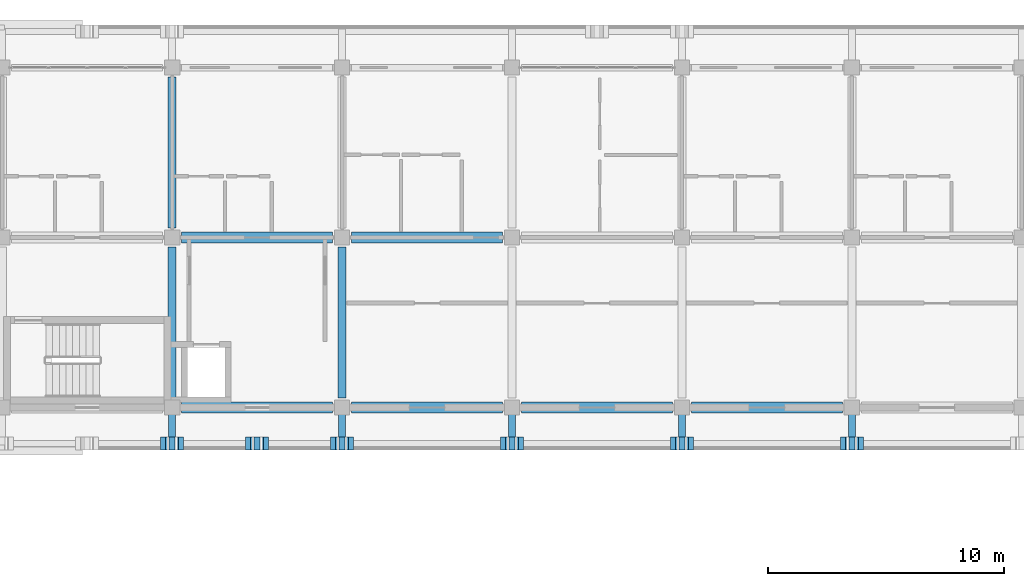
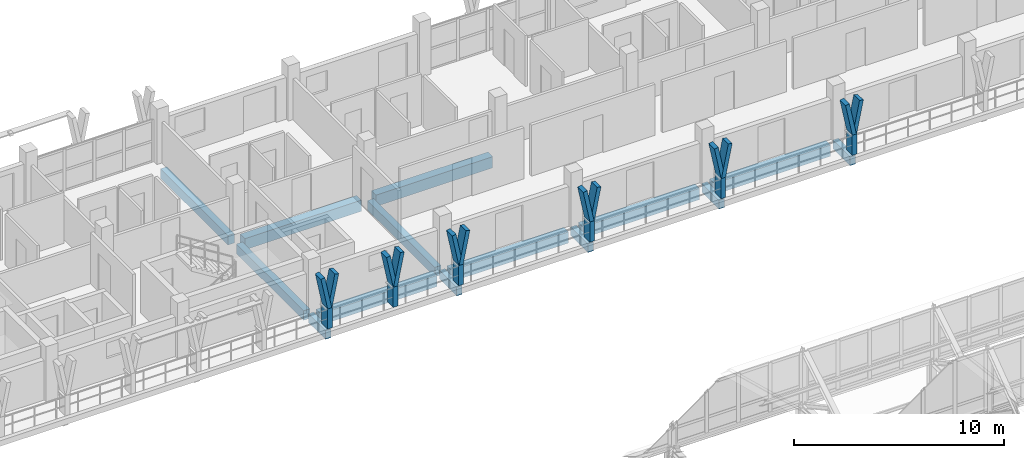
# One storey, part 72 of 157: 18 members, 14 beams.
"""IFC4 building model written with IfcOpenShell, lengths in metres."""

from ifc_helpers import new_model, si_unit, direction, frame, origin, origin_2d, place, context, subcontext, project, spatial, rectangle, extrude, material, material_profile, profile_set, type_object, element, save


model = new_model("IFC4")

# Units and contexts
model_context = context("Model", 3, precision=1e-05, world=origin(), true_north=direction((0.0, 1.0)))
body_context = subcontext(model_context, "Body", "Model", "MODEL_VIEW")
ifc_project = project(units=[si_unit("LENGTHUNIT", "METRE"), si_unit("AREAUNIT", "SQUARE_METRE"), si_unit("VOLUMEUNIT", "CUBIC_METRE"), si_unit("PLANEANGLEUNIT", "RADIAN"), si_unit("MASSUNIT", "GRAM", prefix="KILO")], contexts=[model_context])

# Site, building, storey
site_placement = place(None, origin())
site = spatial("IfcSite", under=ifc_project, at=site_placement, CompositionType="ELEMENT")
building_placement = place(site_placement, origin())
building = spatial("IfcBuilding", under=site, at=building_placement, Name="Suanplinth Sawtooth Commons", CompositionType="ELEMENT")
storey_placement = place(building_placement, frame((0.0, 0.0, 9.0)))
storey = spatial("IfcBuildingStorey", under=building, at=storey_placement, Name="L02", CompositionType="ELEMENT", Elevation=9.0)

# Beams
ifc_material_1 = material(Name="Precast concrete C40/50", Category="concrete")
ifc_material_profile_1 = material_profile(ifc_material_1, rectangle(XDim=0.449951171875, YDim=0.64990234375, at=origin_2d()), Name="PC-GDR 450x650")
ifc_profile_set_1 = profile_set([ifc_material_profile_1], Name="Precast concrete C40/50")
beam_type_1 = type_object("IfcBeamType", Name="B-04", PredefinedType="USERDEFINED", material=ifc_profile_set_1)
for number, where, z_axis, x_axis, name in (
    (1, (65.199951171875, 108.0, -0.574951171875), (1.0, 0.0, 0.0), (0.0, 1.0, 0.0), "BMX-L02-A-9-15"),
    (2, (65.199951171875, 115.199951171875, -0.574951171875), (1.0, 0.0, 0.0), (0.0, 1.0, 0.0), "BMX-L02-A-9-16"),
    (3, (72.39990234375, 108.0, -0.574951171875), (1.0, 0.0, 0.0), (0.0, 1.0, 0.0), "BMX-L02-A-10-15"),
    (4, (72.39990234375, 115.199951171875, -0.574951171875), (1.0, 0.0, 0.0), (0.0, 1.0, 0.0), "BMX-L02-A-10-16"),
):
    element("IfcBeam", number, at=place(storey_placement, frame(where, z_axis=z_axis, x_axis=x_axis)), inside=storey, type_object=beam_type_1, Name=name, ObjectType="GIRDER", PredefinedType="USERDEFINED", context=body_context, shape_type="SweptSolid", body=[
        extrude(rectangle(XDim=0.449951171875, YDim=0.64990234375, at=origin_2d()), origin(), (0.0, 0.0, 1.0), 6.400146484375),
    ])
for number, where, z_axis, x_axis, name in (
    (5, (79.60009765625, 108.0, -0.574951171875), (1.0, 0.0, 0.0), (0.0, 1.0, 0.0), "BMX-L02-A-11-15"),
    (6, (86.800048828125, 108.0, -0.574951171875), (1.0, 0.0, 0.0), (0.0, 1.0, 0.0), "BMX-L02-A-12-15"),
):
    element("IfcBeam", number, at=place(storey_placement, frame(where, z_axis=z_axis, x_axis=x_axis)), inside=storey, type_object=beam_type_1, Name=name, ObjectType="GIRDER", PredefinedType="USERDEFINED", context=body_context, shape_type="SweptSolid", body=[
        extrude(rectangle(XDim=0.449951171875, YDim=0.64990234375, at=origin_2d()), origin(), (0.0, 0.0, 1.0), 6.39990234375),
    ])
ifc_material_profile_2 = material_profile(ifc_material_1, rectangle(XDim=0.35009765625, YDim=0.550048828125, at=origin_2d()), Name="PC-BM 350x550")
ifc_profile_set_2 = profile_set([ifc_material_profile_2], Name="Precast concrete C40/50")
beam_type_2 = type_object("IfcBeamType", Name="B-06", PredefinedType="BEAM", material=ifc_profile_set_2)
beam_1_placement = place(storey_placement, frame((64.800048828125, 108.39990234375, -0.52490234375), z_axis=(0.0, 1.0, 0.0), x_axis=(-1.0, 0.0, 0.0)))
element("IfcBeam", 7, at=beam_1_placement, inside=storey, type_object=beam_type_2, Name="BMY-L02-A-9-15", PredefinedType="BEAM", context=body_context, shape_type="SweptSolid", body=[
    extrude(rectangle(XDim=0.35009765625, YDim=0.550048828125, at=origin_2d()), origin(), (0.0, 0.0, 1.0), 6.400146484375),
])
beam_2_placement = place(storey_placement, frame((64.800048828125, 115.60009765625, -0.52490234375), z_axis=(0.0, 1.0, 0.0), x_axis=(-1.0, 0.0, 0.0)))
element("IfcBeam", 8, at=beam_2_placement, inside=storey, type_object=beam_type_2, Name="BMY-L02-A-9-16", PredefinedType="BEAM", context=body_context, shape_type="SweptSolid", body=[
    extrude(rectangle(XDim=0.35009765625, YDim=0.550048828125, at=origin_2d()), origin(), (0.0, 0.0, 1.0), 6.39990234375),
])
beam_3_placement = place(storey_placement, frame((72.0, 108.39990234375, -0.52490234375), z_axis=(0.0, 1.0, 0.0), x_axis=(-1.0, 0.0, 0.0)))
element("IfcBeam", 9, at=beam_3_placement, inside=storey, type_object=beam_type_2, Name="BMY-L02-A-10-15", PredefinedType="BEAM", context=body_context, shape_type="SweptSolid", body=[
    extrude(rectangle(XDim=0.35009765625, YDim=0.550048828125, at=origin_2d()), origin(), (0.0, 0.0, 1.0), 6.400146484375),
])
ifc_material_profile_3 = material_profile(ifc_material_1, rectangle(XDim=0.300048828125, YDim=0.5, at=origin_2d()), Name="PC-BM 300x500")
ifc_profile_set_3 = profile_set([ifc_material_profile_3], Name="Precast concrete C40/50")
beam_type_3 = type_object("IfcBeamType", Name="B-07", PredefinedType="BEAM", material=ifc_profile_set_3)
for number, where, z_axis, x_axis, name in (
    (10, (64.800048828125, 108.0, -0.429931640625), (0.0, -1.0, 0.0), (1.0, 0.0, 0.0), "Balcony Outrigger L02-A-S-9"),
    (11, (72.0, 108.0, -0.429931640625), (0.0, -1.0, 0.0), (1.0, 0.0, 0.0), "Balcony Outrigger L02-A-S-10"),
    (12, (79.199951171875, 108.0, -0.429931640625), (0.0, -1.0, 0.0), (1.0, 0.0, 0.0), "Balcony Outrigger L02-A-S-11"),
    (13, (86.39990234375, 108.0, -0.429931640625), (0.0, -1.0, 0.0), (1.0, 0.0, 0.0), "Balcony Outrigger L02-A-S-12"),
    (14, (93.60009765625, 108.0, -0.429931640625), (0.0, -1.0, 0.0), (1.0, 0.0, 0.0), "Balcony Outrigger L02-A-S-13"),
):
    element("IfcBeam", number, at=place(storey_placement, frame(where, z_axis=z_axis, x_axis=x_axis)), inside=storey, type_object=beam_type_3, Name=name, PredefinedType="BEAM", context=body_context, shape_type="SweptSolid", body=[
        extrude(rectangle(XDim=0.300048828125, YDim=0.5, at=origin_2d()), origin(), (0.0, 0.0, 1.0), 1.639892578125),
    ])

# Members
ifc_material_2 = material(Name="Pigmented precast concrete C40/50", Category="concrete")
ifc_material_profile_4 = material_profile(ifc_material_2, rectangle(XDim=0.260009765625, YDim=0.550048828125, at=origin_2d()), Name="PC-FIN 260x550")
ifc_profile_set_4 = profile_set([ifc_material_profile_4], Name="Pigmented precast concrete C40/50")
member_type_1 = type_object("IfcMemberType", Name="M-09", PredefinedType="USERDEFINED", material=ifc_profile_set_4)
for number, where, z_axis, x_axis, name in (
    (15, (64.800048828125, 106.47998046875, 0.0), (0.0, 0.0, 1.0), (1.0, 0.0, 0.0), "Y-Blade Stem L02-A-S-22"),
    (16, (68.39990234375, 106.47998046875, 0.0), (0.0, 0.0, 1.0), (1.0, 0.0, 0.0), "Y-Blade Stem L02-A-S-23"),
    (17, (72.0, 106.47998046875, 0.0), (0.0, 0.0, 1.0), (1.0, 0.0, 0.0), "Y-Blade Stem L02-A-S-24"),
    (18, (79.199951171875, 106.47998046875, 0.0), (0.0, 0.0, 1.0), (1.0, 0.0, 0.0), "Y-Blade Stem L02-A-S-25"),
    (19, (86.39990234375, 106.47998046875, 0.0), (0.0, 0.0, 1.0), (1.0, 0.0, 0.0), "Y-Blade Stem L02-A-S-26"),
    (20, (93.60009765625, 106.47998046875, 0.0), (0.0, 0.0, 1.0), (1.0, 0.0, 0.0), "Y-Blade Stem L02-A-S-27"),
):
    element("IfcMember", number, at=place(storey_placement, frame(where, z_axis=z_axis, x_axis=x_axis)), inside=storey, type_object=member_type_1, Name=name, ObjectType="SHADING FIN", PredefinedType="USERDEFINED", context=body_context, shape_type="SweptSolid", body=[
        extrude(rectangle(XDim=0.260009765625, YDim=0.550048828125, at=origin_2d()), origin(), (0.0, 0.0, 1.0), 1.169921875),
    ])
ifc_material_profile_5 = material_profile(ifc_material_2, rectangle(XDim=0.219970703125, YDim=0.550048828125, at=origin_2d()), Name="PC-FIN 220x550")
ifc_profile_set_5 = profile_set([ifc_material_profile_5], Name="Pigmented precast concrete C40/50")
member_type_2 = type_object("IfcMemberType", Name="M-10", PredefinedType="USERDEFINED", material=ifc_profile_set_5)
member_1_placement = place(storey_placement, frame((64.800048828125, 106.47998046875, 1.1298828125), z_axis=(-0.196406855569, 0.0, 0.980522486782), x_axis=(0.980522486782, 0.0, 0.196406855569)))
element("IfcMember", 21, at=member_1_placement, inside=storey, type_object=member_type_2, Name="Y-Blade Arm L L02-A-S-22", ObjectType="SHADING FIN", PredefinedType="USERDEFINED", context=body_context, shape_type="SweptSolid", body=[
    extrude(rectangle(XDim=0.219970703125, YDim=0.550048828125, at=origin_2d()), origin(), (0.0, 0.0, 1.0), 1.93798828125),
])
for number, where, z_axis, x_axis, name in (
    (22, (64.800048828125, 106.47998046875, 1.1298828125), (0.196285728346, 0.0, 0.980546741796), (-0.980546741796, 0.0, 0.196285728346), "Y-Blade Arm R L02-A-S-22"),
    (23, (68.39990234375, 106.47998046875, 1.1298828125), (-0.196285728346, 0.0, 0.980546741796), (0.980546741796, 0.0, 0.196285728346), "Y-Blade Arm L L02-A-S-23"),
):
    element("IfcMember", number, at=place(storey_placement, frame(where, z_axis=z_axis, x_axis=x_axis)), inside=storey, type_object=member_type_2, Name=name, ObjectType="SHADING FIN", PredefinedType="USERDEFINED", context=body_context, shape_type="SweptSolid", body=[
        extrude(rectangle(XDim=0.219970703125, YDim=0.550048828125, at=origin_2d()), origin(), (0.0, 0.0, 1.0), 1.937744140625),
    ])
for number, where, z_axis, x_axis, name in (
    (24, (68.39990234375, 106.47998046875, 1.1298828125), (0.196406855569, 0.0, 0.980522486782), (-0.980522486782, 0.0, 0.196406855569), "Y-Blade Arm R L02-A-S-23"),
    (25, (72.0, 106.47998046875, 1.1298828125), (-0.196406855569, 0.0, 0.980522486782), (0.980522486782, 0.0, 0.196406855569), "Y-Blade Arm L L02-A-S-24"),
    (26, (72.0, 106.47998046875, 1.1298828125), (0.196406855569, 0.0, 0.980522486782), (-0.980522486782, 0.0, 0.196406855569), "Y-Blade Arm R L02-A-S-24"),
):
    element("IfcMember", number, at=place(storey_placement, frame(where, z_axis=z_axis, x_axis=x_axis)), inside=storey, type_object=member_type_2, Name=name, ObjectType="SHADING FIN", PredefinedType="USERDEFINED", context=body_context, shape_type="SweptSolid", body=[
        extrude(rectangle(XDim=0.219970703125, YDim=0.550048828125, at=origin_2d()), origin(), (0.0, 0.0, 1.0), 1.93798828125),
    ])
member_2_placement = place(storey_placement, frame((79.199951171875, 106.47998046875, 1.1298828125), z_axis=(-0.196285728346, 0.0, 0.980546741796), x_axis=(0.980546741796, 0.0, 0.196285728346)))
element("IfcMember", 27, at=member_2_placement, inside=storey, type_object=member_type_2, Name="Y-Blade Arm L L02-A-S-25", ObjectType="SHADING FIN", PredefinedType="USERDEFINED", context=body_context, shape_type="SweptSolid", body=[
    extrude(rectangle(XDim=0.219970703125, YDim=0.550048828125, at=origin_2d()), origin(), (0.0, 0.0, 1.0), 1.937744140625),
])
member_3_placement = place(storey_placement, frame((79.199951171875, 106.47998046875, 1.1298828125), z_axis=(0.196406855569, 0.0, 0.980522486782), x_axis=(-0.980522486782, 0.0, 0.196406855569)))
element("IfcMember", 28, at=member_3_placement, inside=storey, type_object=member_type_2, Name="Y-Blade Arm R L02-A-S-25", ObjectType="SHADING FIN", PredefinedType="USERDEFINED", context=body_context, shape_type="SweptSolid", body=[
    extrude(rectangle(XDim=0.219970703125, YDim=0.550048828125, at=origin_2d()), origin(), (0.0, 0.0, 1.0), 1.93798828125),
])
member_4_placement = place(storey_placement, frame((86.39990234375, 106.47998046875, 1.1298828125), z_axis=(-0.196285728346, 0.0, 0.980546741796), x_axis=(0.980546741796, 0.0, 0.196285728346)))
element("IfcMember", 29, at=member_4_placement, inside=storey, type_object=member_type_2, Name="Y-Blade Arm L L02-A-S-26", ObjectType="SHADING FIN", PredefinedType="USERDEFINED", context=body_context, shape_type="SweptSolid", body=[
    extrude(rectangle(XDim=0.219970703125, YDim=0.550048828125, at=origin_2d()), origin(), (0.0, 0.0, 1.0), 1.937744140625),
])
for number, where, z_axis, x_axis, name in (
    (30, (86.39990234375, 106.47998046875, 1.1298828125), (0.196406855569, 0.0, 0.980522486782), (-0.980522486782, 0.0, 0.196406855569), "Y-Blade Arm R L02-A-S-26"),
    (31, (93.60009765625, 106.47998046875, 1.1298828125), (-0.196406855569, 0.0, 0.980522486782), (0.980522486782, 0.0, 0.196406855569), "Y-Blade Arm L L02-A-S-27"),
):
    element("IfcMember", number, at=place(storey_placement, frame(where, z_axis=z_axis, x_axis=x_axis)), inside=storey, type_object=member_type_2, Name=name, ObjectType="SHADING FIN", PredefinedType="USERDEFINED", context=body_context, shape_type="SweptSolid", body=[
        extrude(rectangle(XDim=0.219970703125, YDim=0.550048828125, at=origin_2d()), origin(), (0.0, 0.0, 1.0), 1.93798828125),
    ])
member_5_placement = place(storey_placement, frame((93.60009765625, 106.47998046875, 1.1298828125), z_axis=(0.196285728346, 0.0, 0.980546741796), x_axis=(-0.980546741796, 0.0, 0.196285728346)))
element("IfcMember", 32, at=member_5_placement, inside=storey, type_object=member_type_2, Name="Y-Blade Arm R L02-A-S-27", ObjectType="SHADING FIN", PredefinedType="USERDEFINED", context=body_context, shape_type="SweptSolid", body=[
    extrude(rectangle(XDim=0.219970703125, YDim=0.550048828125, at=origin_2d()), origin(), (0.0, 0.0, 1.0), 1.937744140625),
])

save(model, "model.ifc")
